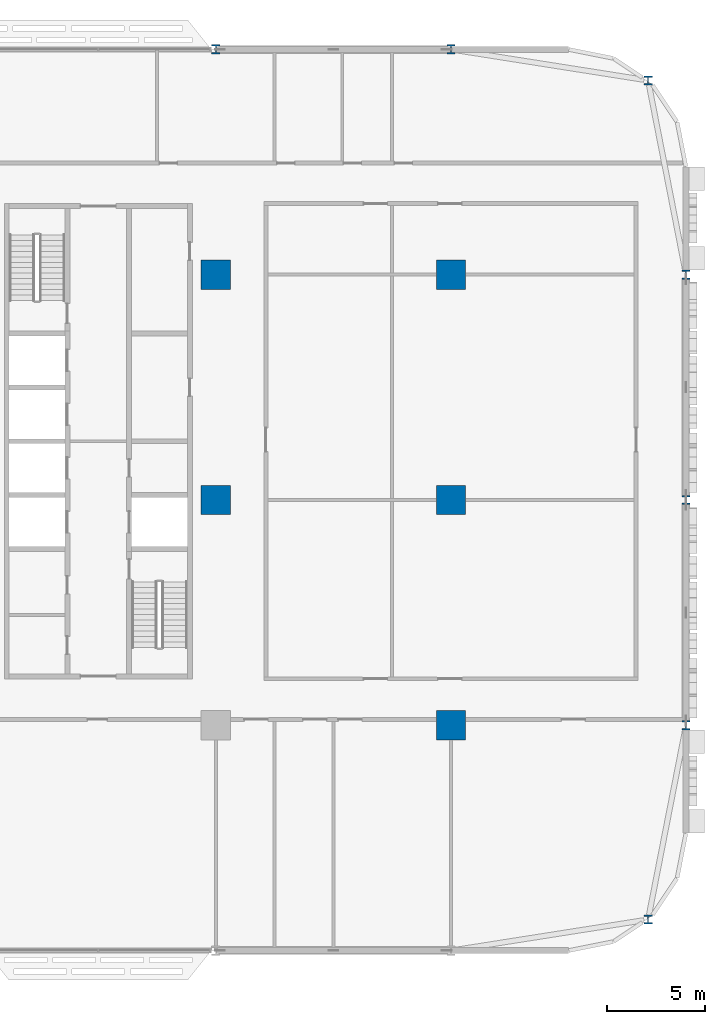
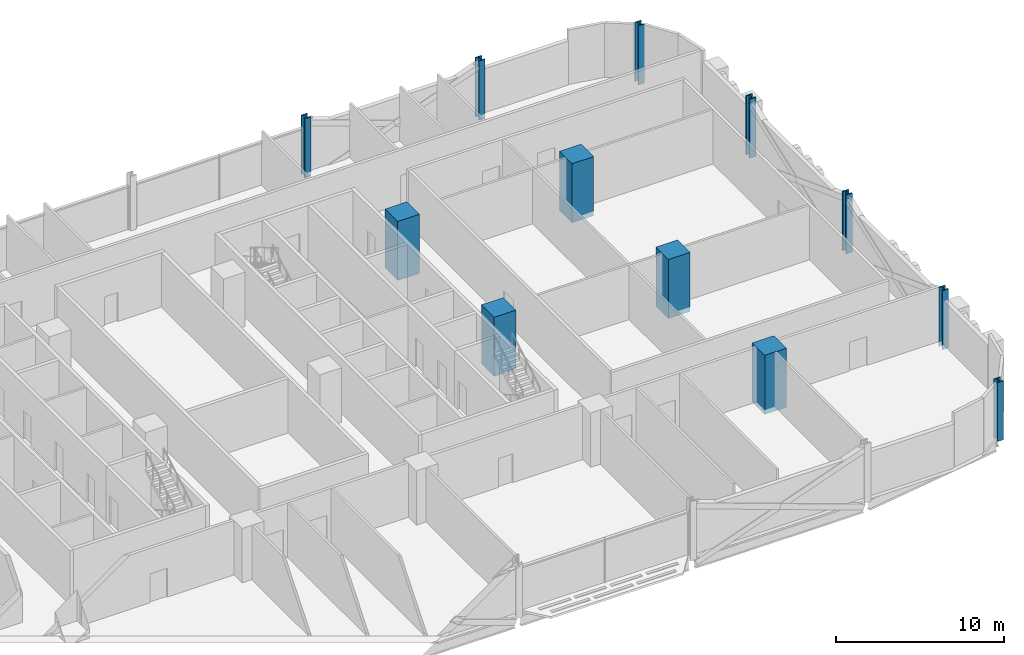
# One storey, part 2 of 29: 12 columns.
"""IFC4 building model written with IfcOpenShell, lengths in metres."""

from ifc_helpers import new_model, si_unit, direction, frame, origin, origin_2d, place, context, subcontext, project, spatial, rectangle, i_section, extrude, material, material_profile, profile_set, type_object, element, save


model = new_model("IFC4")

# Units and contexts
model_context = context("Model", 3, precision=1e-05, world=origin(), true_north=direction((0.0, 1.0)))
body_context = subcontext(model_context, "Body", "Model", "MODEL_VIEW")
ifc_project = project(units=[si_unit("LENGTHUNIT", "METRE"), si_unit("AREAUNIT", "SQUARE_METRE"), si_unit("VOLUMEUNIT", "CUBIC_METRE"), si_unit("PLANEANGLEUNIT", "RADIAN"), si_unit("MASSUNIT", "GRAM", prefix="KILO")], contexts=[model_context])

# Site, building, storey
site_placement = place(None, origin())
site = spatial("IfcSite", under=ifc_project, at=site_placement, CompositionType="ELEMENT")
building_placement = place(site_placement, origin())
building = spatial("IfcBuilding", under=site, at=building_placement, Name="Mahtab Terrace Research Tower", CompositionType="ELEMENT")
storey_placement = place(building_placement, frame((0.0, 0.0, 67.5)))
storey = spatial("IfcBuildingStorey", under=building, at=storey_placement, Name="L15", CompositionType="ELEMENT", Elevation=67.5)

# Columns
ifc_material_1 = material(Name="Concrete C70/85", Category="concrete")
ifc_material_profile_1 = material_profile(ifc_material_1, rectangle(XDim=1.5, YDim=1.5, at=origin_2d()), Name="RC column 1500x1500")
ifc_profile_set_1 = profile_set([ifc_material_profile_1], Name="Concrete C70/85")
column_type_1 = type_object("IfcColumnType", Name="RC column 1500x1500", PredefinedType="COLUMN", material=ifc_profile_set_1)
for number, where, z_axis, x_axis, name in (
    (1, (30.0, 0.0, -0.340087890625), (0.0, 0.0, 1.0), (1.0, 0.0, 0.0), "Column RC-7B L15"),
    (2, (30.0, 11.5, -0.340087890625), (0.0, 0.0, 1.0), (1.0, 0.0, 0.0), "Column RC-7C L15"),
    (3, (42.0, -11.5, -0.340087890625), (0.0, 0.0, 1.0), (1.0, 0.0, 0.0), "Column RC-8A L15"),
    (4, (42.0, 0.0, -0.340087890625), (0.0, 0.0, 1.0), (1.0, 0.0, 0.0), "Column RC-8B L15"),
    (5, (42.0, 11.5, -0.340087890625), (0.0, 0.0, 1.0), (1.0, 0.0, 0.0), "Column RC-8C L15"),
):
    element("IfcColumn", number, at=place(storey_placement, frame(where, z_axis=z_axis, x_axis=x_axis)), inside=storey, type_object=column_type_1, Name=name, PredefinedType="COLUMN", context=body_context, shape_type="SweptSolid", body=[
        extrude(rectangle(XDim=1.5, YDim=1.5, at=origin_2d()), origin(), (0.0, 0.0, 1.0), 4.300048828125),
    ])
ifc_material_2 = material(Name="Steel ASTM A992 Gr 50", Category="steel")
ifc_material_profile_2 = material_profile(ifc_material_2, i_section(OverallWidth=0.42431640625, OverallDepth=0.47509765625, WebThickness=0.0478515625, FlangeThickness=0.0771484375, at=origin_2d()), Name="W14X426")
ifc_profile_set_2 = profile_set([ifc_material_profile_2], Name="Steel ASTM A992 Gr 50")
column_type_2 = type_object("IfcColumnType", Name="W14x426 column CS14426", PredefinedType="COLUMN", material=ifc_profile_set_2)
for number, where, z_axis, x_axis, name in (
    (6, (52.06201171875, 21.416015625, -0.340087890625), (0.0, 0.0, 1.0), (1.0, 0.0, 0.0), "Column SC-023 L15"),
    (7, (42.0, 23.0, -0.340087890625), (0.0, 0.0, 1.0), (1.0, 0.0, 0.0), "Column SC-001 L15"),
    (8, (30.0, 23.0, -0.340087890625), (0.0, 0.0, 1.0), (1.0, 0.0, 0.0), "Column SC-002 L15"),
    (9, (52.06201171875, -21.416015625, -0.340087890625), (0.0, 0.0, 1.0), (1.0, 0.0, 0.0), "Column SC-026 L15"),
    (10, (54.0, -11.5, -0.340087890625), (0.0, 0.0, 1.0), (1.0, 0.0, 0.0), "Column SC-027 L15"),
    (11, (54.0, 0.0, -0.340087890625), (0.0, 0.0, 1.0), (1.0, 0.0, 0.0), "Column SC-028 L15"),
    (12, (54.0, 11.5, -0.340087890625), (0.0, 0.0, 1.0), (1.0, 0.0, 0.0), "Column SC-029 L15"),
):
    element("IfcColumn", number, at=place(storey_placement, frame(where, z_axis=z_axis, x_axis=x_axis)), inside=storey, type_object=column_type_2, Name=name, PredefinedType="COLUMN", context=body_context, shape_type="SweptSolid", body=[
        extrude(i_section(OverallWidth=0.42431640625, OverallDepth=0.47509765625, WebThickness=0.0478515625, FlangeThickness=0.0771484375, at=origin_2d()), origin(), (0.0, 0.0, 1.0), 4.300048828125),
    ])

save(model, "model.ifc")
